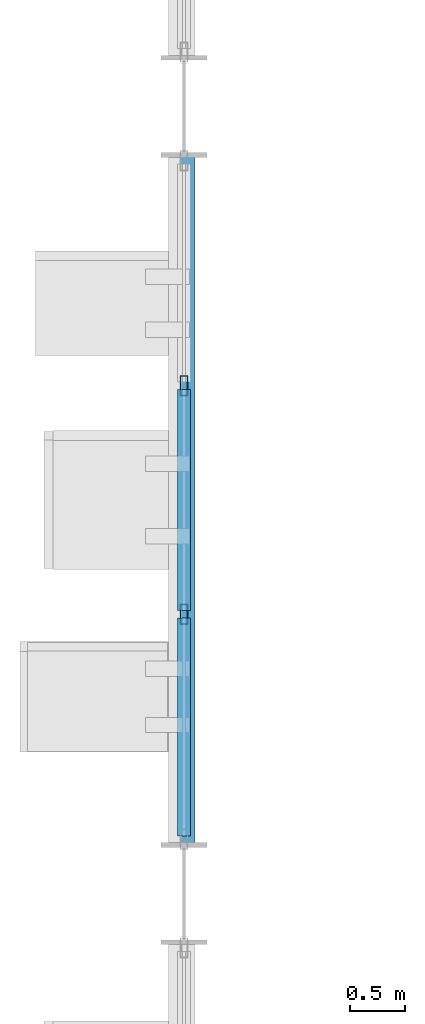
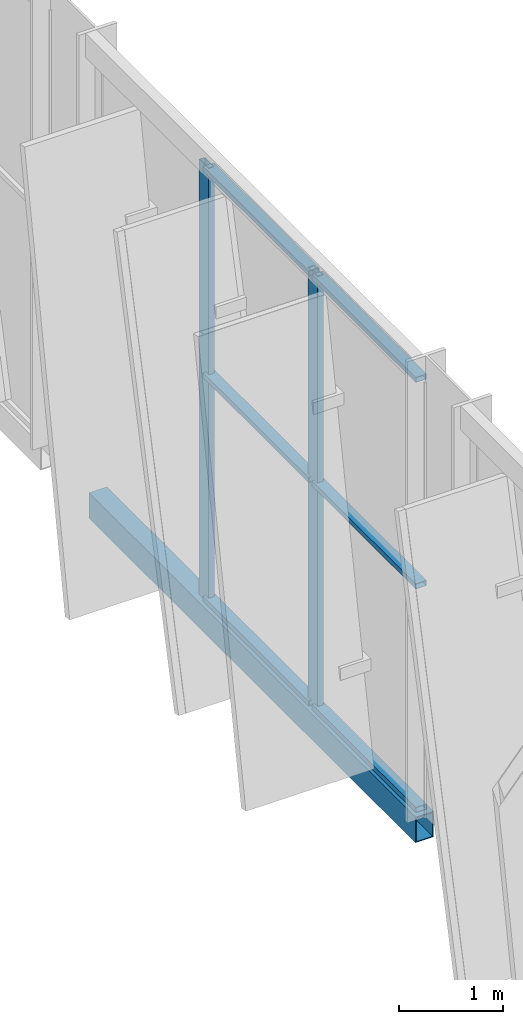
# One storey, part 24 of 189: 8 members, 1 beam, 1 element without a shape of its own.
"""IFC4 building model written with IfcOpenShell, lengths in metres."""

from ifc_helpers import new_model, si_unit, direction, frame, origin, origin_2d, place, context, subcontext, project, spatial, hollow_rectangle, extrude, material, layer, layer_set, material_profile, profile_set, type_object, element, aggregate, save


model = new_model("IFC4")

# Units and contexts
model_context = context("Model", 3, precision=1e-05, world=origin(), true_north=direction((0.0, 1.0)))
body_context = subcontext(model_context, "Body", "Model", "MODEL_VIEW")
ifc_project = project(units=[si_unit("LENGTHUNIT", "METRE"), si_unit("AREAUNIT", "SQUARE_METRE"), si_unit("VOLUMEUNIT", "CUBIC_METRE"), si_unit("PLANEANGLEUNIT", "RADIAN"), si_unit("MASSUNIT", "GRAM", prefix="KILO")], contexts=[model_context])

# Site, building, storey
site_placement = place(None, origin())
site = spatial("IfcSite", under=ifc_project, at=site_placement, CompositionType="ELEMENT")
building_placement = place(site_placement, origin())
building = spatial("IfcBuilding", under=site, at=building_placement, Name="Celestram Park Convention Centre", CompositionType="ELEMENT")
storey_placement = place(building_placement, frame((0.0, 0.0, 5.39990234375)))
storey = spatial("IfcBuildingStorey", under=building, at=storey_placement, Name="L01", CompositionType="ELEMENT", Elevation=5.39990234375)

# Curtain wall, members
ifc_material_1 = material(Name="Anodised Aluminium Alloy 6063-T6", Category="aluminium")
ifc_layer = layer(ifc_material_1, 0.179931640625)
ifc_layer_set = layer_set([ifc_layer], Name="Anodised Aluminium Alloy 6063-T6")
curtain_wall_type = type_object("IfcCurtainWallType", Name="ARC-CW-627X510", PredefinedType="NOTDEFINED", material=ifc_layer_set)
curtain_wall_placement = place(storey_placement, origin())
curtain_wall = element("IfcCurtainWall", 1, at=curtain_wall_placement, inside=storey, type_object=curtain_wall_type, Name="Unitised curtain wall CU-L01-117", PredefinedType="NOTDEFINED")
ifc_material_profile_1 = material_profile(ifc_material_1, hollow_rectangle(XDim=0.06494140625, YDim=0.179931640625, WallThickness=0.00390625, at=origin_2d()), Name="ALU65X180X4")
ifc_profile_set_1 = profile_set([ifc_material_profile_1], Name="Anodised Aluminium Alloy 6063-T6")
member_type_1 = type_object("IfcMemberType", Name="ARC-CWM-150", PredefinedType="MULLION", material=ifc_profile_set_1)
member_1_placement = place(storey_placement, frame((0.0, 60.15478515625, 0.0), z_axis=(0.0, 0.0, 1.0), x_axis=(-1.0, 0.0, 0.0)))
member_1 = element("IfcMember", 2, at=member_1_placement, type_object=member_type_1, Name="CW-62X51 mullion 2", PredefinedType="MULLION", context=body_context, shape_type="SweptSolid", body=[
    extrude(hollow_rectangle(XDim=0.06494140625, YDim=0.179931640625, WallThickness=0.00390625, at=origin_2d()), origin(), (0.0, 0.0, 1.0), 5.10009765625),
])
member_2_placement = place(storey_placement, frame((0.0, 62.245361328125, 0.0), z_axis=(0.0, 0.0, 1.0), x_axis=(-1.0, 0.0, 0.0)))
member_2 = element("IfcMember", 3, at=member_2_placement, type_object=member_type_1, Name="CW-62X51 mullion 3", PredefinedType="MULLION", context=body_context, shape_type="SweptSolid", body=[
    extrude(hollow_rectangle(XDim=0.06494140625, YDim=0.179931640625, WallThickness=0.00390625, at=origin_2d()), origin(), (0.0, 0.0, 1.0), 5.10009765625),
])
ifc_material_profile_2 = material_profile(ifc_material_1, hollow_rectangle(XDim=0.1201171875, YDim=0.06005859375, WallThickness=0.0029296875, at=origin_2d()), Name="ALU120X60X3")
ifc_profile_set_2 = profile_set([ifc_material_profile_2], Name="Anodised Aluminium Alloy 6063-T6")
member_type_2 = type_object("IfcMemberType", Name="ARC-CWT-120", PredefinedType="USERDEFINED", material=ifc_profile_set_2)
member_3_placement = place(storey_placement, frame((0.0, 58.12890625, 0.030029296875), z_axis=(0.0, 1.0, 0.0), x_axis=(-1.0, 0.0, 0.0)))
member_3 = element("IfcMember", 4, at=member_3_placement, type_object=member_type_2, Name="CW-62X51 transom 1.1", ObjectType="TRANSOM", PredefinedType="USERDEFINED", context=body_context, shape_type="SweptSolid", body=[
    extrude(hollow_rectangle(XDim=0.1201171875, YDim=0.06005859375, WallThickness=0.0029296875, at=origin_2d()), origin(), (0.0, 0.0, 1.0), 1.9931640625),
])
member_4_placement = place(storey_placement, frame((0.0, 58.12890625, 2.650146484375), z_axis=(0.0, 1.0, 0.0), x_axis=(-1.0, 0.0, 0.0)))
member_4 = element("IfcMember", 5, at=member_4_placement, type_object=member_type_2, Name="CW-62X51 transom 1.2", ObjectType="TRANSOM", PredefinedType="USERDEFINED", context=body_context, shape_type="SweptSolid", body=[
    extrude(hollow_rectangle(XDim=0.1201171875, YDim=0.06005859375, WallThickness=0.0029296875, at=origin_2d()), origin(), (0.0, 0.0, 1.0), 1.9931640625),
])
member_5_placement = place(storey_placement, frame((0.0, 58.12890625, 5.070068359375), z_axis=(0.0, 1.0, 0.0), x_axis=(-1.0, 0.0, 0.0)))
member_5 = element("IfcMember", 6, at=member_5_placement, type_object=member_type_2, Name="CW-62X51 transom 1.3", ObjectType="TRANSOM", PredefinedType="USERDEFINED", context=body_context, shape_type="SweptSolid", body=[
    extrude(hollow_rectangle(XDim=0.1201171875, YDim=0.06005859375, WallThickness=0.0029296875, at=origin_2d()), origin(), (0.0, 0.0, 1.0), 1.9931640625),
])
member_6_placement = place(storey_placement, frame((0.0, 60.187255859375, 0.030029296875), z_axis=(0.0, 1.0, 0.0), x_axis=(-1.0, 0.0, 0.0)))
member_6 = element("IfcMember", 7, at=member_6_placement, type_object=member_type_2, Name="CW-62X51 transom 2.1", ObjectType="TRANSOM", PredefinedType="USERDEFINED", context=body_context, shape_type="SweptSolid", body=[
    extrude(hollow_rectangle(XDim=0.1201171875, YDim=0.06005859375, WallThickness=0.0029296875, at=origin_2d()), origin(), (0.0, 0.0, 1.0), 2.025634765625),
])
member_7_placement = place(storey_placement, frame((0.0, 60.187255859375, 2.650146484375), z_axis=(0.0, 1.0, 0.0), x_axis=(-1.0, 0.0, 0.0)))
member_7 = element("IfcMember", 8, at=member_7_placement, type_object=member_type_2, Name="CW-62X51 transom 2.2", ObjectType="TRANSOM", PredefinedType="USERDEFINED", context=body_context, shape_type="SweptSolid", body=[
    extrude(hollow_rectangle(XDim=0.1201171875, YDim=0.06005859375, WallThickness=0.0029296875, at=origin_2d()), origin(), (0.0, 0.0, 1.0), 2.025634765625),
])
member_8_placement = place(storey_placement, frame((0.0, 60.187255859375, 5.070068359375), z_axis=(0.0, 1.0, 0.0), x_axis=(-1.0, 0.0, 0.0)))
member_8 = element("IfcMember", 9, at=member_8_placement, type_object=member_type_2, Name="CW-62X51 transom 2.3", ObjectType="TRANSOM", PredefinedType="USERDEFINED", context=body_context, shape_type="SweptSolid", body=[
    extrude(hollow_rectangle(XDim=0.1201171875, YDim=0.06005859375, WallThickness=0.0029296875, at=origin_2d()), origin(), (0.0, 0.0, 1.0), 2.025634765625),
])
aggregate(curtain_wall, [member_1, member_2, member_3, member_4, member_5, member_6, member_7, member_8])

# Beam
ifc_material_2 = material(Name="Steel ASTM A500 Grade C", Category="steel")
ifc_material_profile_3 = material_profile(ifc_material_2, hollow_rectangle(XDim=0.199951171875, YDim=0.300048828125, WallThickness=0.011962890625, at=origin_2d()), Name="HSS300X200X12")
ifc_profile_set_3 = profile_set([ifc_material_profile_3], Name="Steel ASTM A500 Grade C")
beam_type = type_object("IfcBeamType", Name="STR-SPN-HSS300X200", PredefinedType="SPANDREL", material=ifc_profile_set_3)
beam_placement = place(storey_placement, frame((0.0, 58.06396484375, -0.14990234375), z_axis=(0.0, 1.0, 0.0), x_axis=(-1.0, 0.0, 0.0)))
element("IfcBeam", 10, at=beam_placement, inside=storey, type_object=beam_type, Name="High-bay perimeter spandrel SPB-L01-006", PredefinedType="SPANDREL", context=body_context, shape_type="SweptSolid", body=[
    extrude(hollow_rectangle(XDim=0.199951171875, YDim=0.300048828125, WallThickness=0.011962890625, at=origin_2d()), origin(), (0.0, 0.0, 1.0), 6.27197265625),
])

save(model, "model.ifc")
